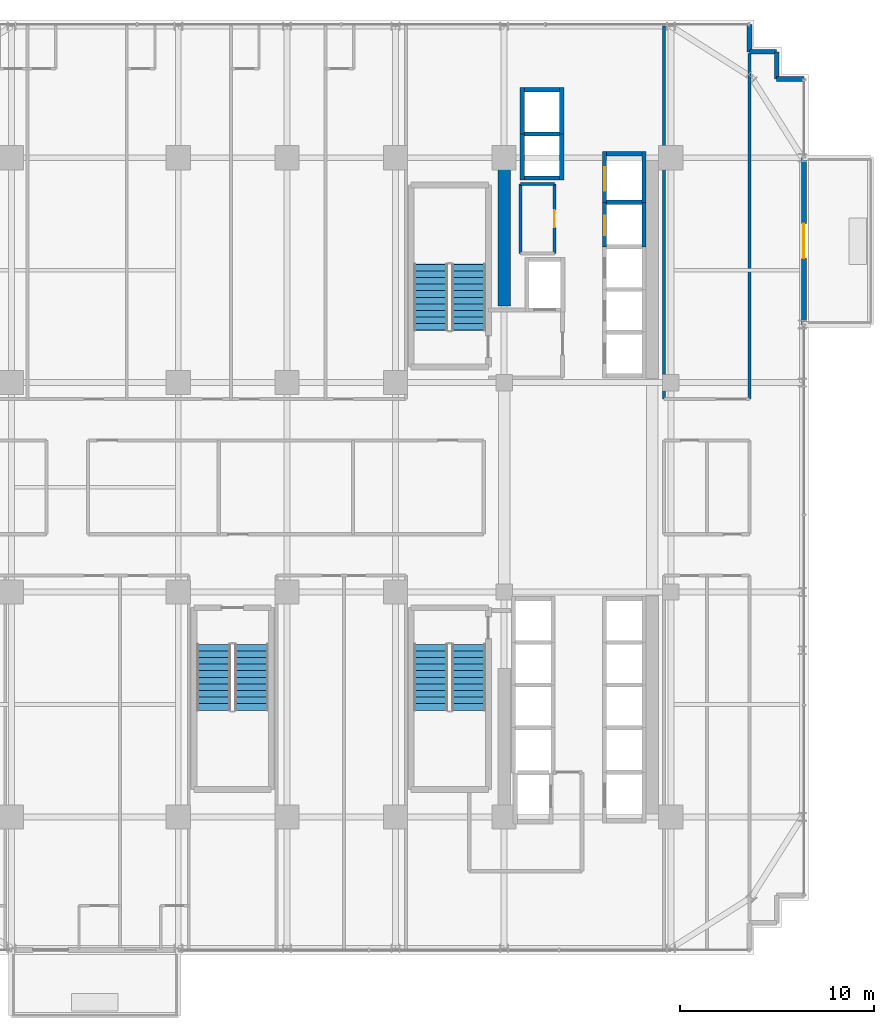
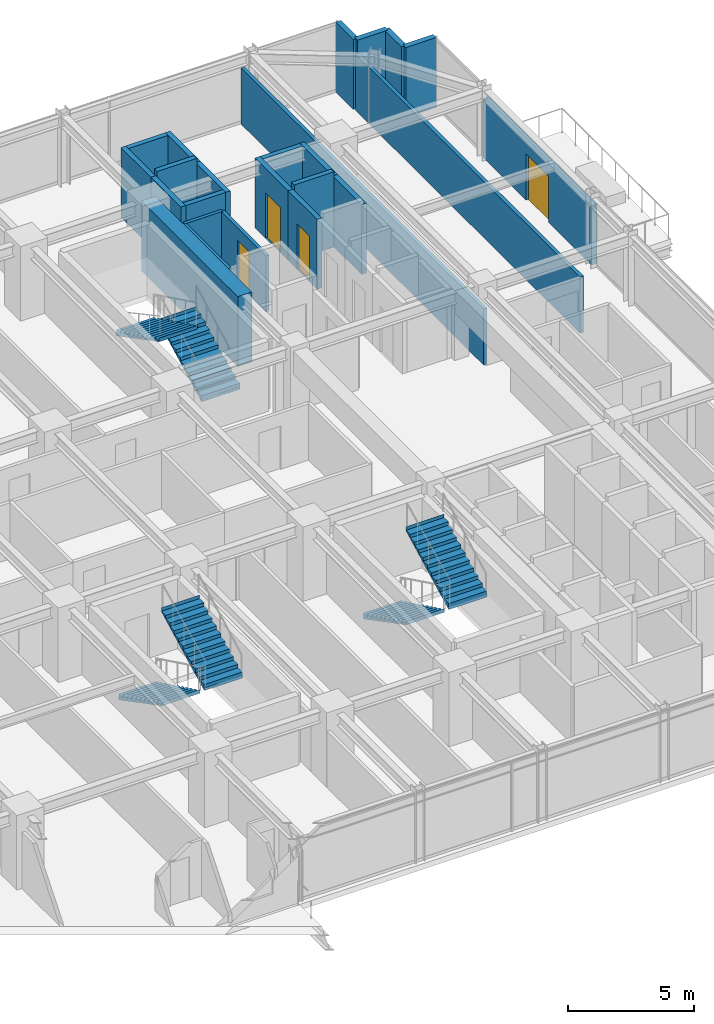
# One storey, part 29 of 32: 24 walls, 6 stair flights, 4 doors, 4 openings, 3 elements without a shape of their own.
"""IFC4 building model written with IfcOpenShell, lengths in metres."""

from ifc_helpers import new_model, si_unit, direction, frame, frame_2d, origin, place, context, subcontext, project, spatial, polyline, rectangle, outline, extrude, source, transform, mapped, material, layer, layer_set, type_object, element, fill, aggregate, save


model = new_model("IFC4")

# Units and contexts
model_context = context("Model", 3, precision=1e-05, world=origin(), true_north=direction((0.0, 1.0)))
body_context = subcontext(model_context, "Body", "Model", "MODEL_VIEW")
ifc_project = project(units=[si_unit("LENGTHUNIT", "METRE"), si_unit("AREAUNIT", "SQUARE_METRE"), si_unit("VOLUMEUNIT", "CUBIC_METRE"), si_unit("PLANEANGLEUNIT", "RADIAN"), si_unit("MASSUNIT", "GRAM", prefix="KILO")], contexts=[model_context])

# Site, building, storey
site_placement = place(None, origin())
site = spatial("IfcSite", under=ifc_project, at=site_placement, CompositionType="ELEMENT")
building_placement = place(site_placement, origin())
building = spatial("IfcBuilding", under=site, at=building_placement, Name="Nahalor Promenade Grand Hotel", CompositionType="ELEMENT")
storey_placement = place(building_placement, frame((0.0, 0.0, 102.89990234375)))
storey = spatial("IfcBuildingStorey", under=building, at=storey_placement, Name="L25", CompositionType="ELEMENT", Elevation=102.89990234375)

# Walls
ifc_material_1 = material(Name="Concrete B-60 (C50/60)", Category="concrete")
ifc_layer_1 = layer(ifc_material_1, 0.64990234375)
ifc_layer_set_1 = layer_set([ifc_layer_1], Name="Concrete B-60 (C50/60)")
wall_type_1 = type_object("IfcWallType", Name="Wall-CoreShear-650", PredefinedType="SHEAR", material=ifc_layer_set_1)
shared_shape_1 = source(origin(), body_context, "Body", "SweptSolid", [
    extrude(rectangle(XDim=7.64990234375, YDim=0.64990234375, at=frame_2d((3.824951171875, 0.0))), origin(), (0.0, 0.0, 1.0), 3.380126953125),
])
wall_1_placement = place(storey_placement, frame((8.39990234375, 9.35009765625, 0.0), z_axis=(0.0, 0.0, 1.0), x_axis=(0.0, 1.0, 0.0)))
element("IfcWall", 1, at=wall_1_placement, inside=storey, type_object=wall_type_1, Name="CWALL-L25-NW", PredefinedType="SHEAR", context=body_context, shape_type="MappedRepresentation", body=[
    mapped(shared_shape_1, transform((0.0, 0.0, 0.0), scale=1.0)),
])
ifc_material_2 = material(Name="Concrete B-50 (C40/50)", Category="concrete")
ifc_layer_2 = layer(ifc_material_2, 0.219970703125)
ifc_layer_set_2 = layer_set([ifc_layer_2], Name="Concrete B-50 (C40/50)")
wall_type_2 = type_object("IfcWallType", Name="Wall-LiftShaft-220", PredefinedType="SHEAR", material=ifc_layer_set_2)
shared_shape_2 = source(origin(), body_context, "Body", "SweptSolid", [
    extrude(rectangle(XDim=1.820068359375, YDim=0.219970703125, at=frame_2d((0.91015625, 0.0))), origin(), (0.0, 0.0, 1.0), 3.650146484375),
])
for number, where, z_axis, x_axis, name in (
    (2, (13.68994140625, 14.699951171875, 0.0), (0.0, 0.0, 1.0), (1.0, 0.0, 0.0), "L25 Lift PL4 Hoistway Wall N"),
    (3, (9.43994140625, 18.22509765625, 0.0), (0.0, 0.0, 1.0), (1.0, 0.0, 0.0), "L25 Lift OB1 Hoistway Wall N"),
):
    element("IfcWall", number, at=place(storey_placement, frame(where, z_axis=z_axis, x_axis=x_axis)), inside=storey, type_object=wall_type_2, Name=name, PredefinedType="SHEAR", context=body_context, shape_type="MappedRepresentation", body=[
        mapped(shared_shape_2, transform((0.0, 0.0, 0.0), scale=1.0)),
    ])
shared_shape_3 = source(origin(), body_context, "Body", "SweptSolid", [
    extrude(rectangle(XDim=1.820068359375, YDim=0.219970703125, at=frame_2d((0.91015625, 0.0))), origin(), (0.0, 0.0, 1.0), 3.380126953125),
])
for number, where, z_axis, x_axis, name in (
    (4, (9.43994140625, 15.949951171875, 0.0), (0.0, 0.0, 1.0), (1.0, 0.0, 0.0), "L25 Lift OB1 Hoistway Wall S"),
    (5, (9.43994140625, 20.5, 0.0), (0.0, 0.0, 1.0), (1.0, 0.0, 0.0), "L25 Lift OB2 Hoistway Wall N"),
    (6, (13.68994140625, 17.199951171875, 0.0), (0.0, 0.0, 1.0), (1.0, 0.0, 0.0), "L25 Lift SV1 Hoistway Wall N"),
):
    element("IfcWall", number, at=place(storey_placement, frame(where, z_axis=z_axis, x_axis=x_axis)), inside=storey, type_object=wall_type_2, Name=name, PredefinedType="SHEAR", context=body_context, shape_type="MappedRepresentation", body=[
        mapped(shared_shape_3, transform((0.0, 0.0, 0.0), scale=1.0)),
    ])

# Wall, opening, door
shared_shape_4 = source(origin(), body_context, "Body", "SweptSolid", [
    extrude(rectangle(XDim=2.300048828125, YDim=0.219970703125, at=frame_2d((1.14990234375, 0.0))), origin(), (0.0, 0.0, 1.0), 3.380126953125),
])
wall_2_placement = place(storey_placement, frame((13.580078125, 12.39990234375, 0.0), z_axis=(0.0, 0.0, 1.0), x_axis=(0.0, 1.0, 0.0)))
wall_2 = element("IfcWall", 7, at=wall_2_placement, inside=storey, type_object=wall_type_2, Name="L25 Lift PL4 Hoistway Wall W", PredefinedType="SHEAR", context=body_context, shape_type="MappedRepresentation", body=[
    mapped(shared_shape_4, transform((0.0, 0.0, 0.0), scale=1.0)),
])
opening_1_placement = place(wall_2_placement, frame((0.60009765625, 0.0, 0.0)))
opening_1 = element("IfcOpeningElement", 8, at=opening_1_placement, cuts=wall_2, Name="Opening LD-01", PredefinedType="OPENING", context=body_context, shape_type="SweptSolid", body=[
    extrude(rectangle(XDim=1.0, YDim=2.199951171875, at=frame_2d((0.5, 1.10009765625))), frame((0.0, 0.119873046875, 0.0), z_axis=(0.0, -1.0, 0.0), x_axis=(1.0, 0.0, 0.0)), (0.0, 0.0, 1.0), 0.239990234375),
])
ifc_material_3 = material(Name="Steel S355JR", Category="steel")
door_type_1 = type_object("IfcDoorType", Name="Door-LiftLanding-1000", OperationType="DOUBLE_DOOR_SLIDING", PredefinedType="DOOR", material=ifc_material_3)
shared_shape_5 = source(origin(), body_context, "Body", "SweptSolid", [
    extrude(rectangle(XDim=1.0, YDim=2.199951171875, at=frame_2d((0.5, 1.10009765625))), frame((0.0, 0.02490234375, 0.0), z_axis=(0.0, -1.0, 0.0), x_axis=(1.0, 0.0, 0.0)), (0.0, 0.0, 1.0), 0.050048828125),
])
door_1_placement = place(opening_1_placement, origin())
door_1 = element("IfcDoor", 9, at=door_1_placement, inside=storey, type_object=door_type_1, Name="DR-LIFT-PL4-L25", OperationType="DOUBLE_DOOR_SLIDING", OverallHeight=2.199951171875, OverallWidth=1.0, PredefinedType="DOOR", context=body_context, shape_type="MappedRepresentation", body=[
    mapped(shared_shape_5, transform((0.0, 0.0, 0.0), scale=1.0)),
])
fill(opening_1, door_1)

# Walls
wall_3_placement = place(storey_placement, frame((15.6201171875, 12.39990234375, 0.0), z_axis=(0.0, 0.0, 1.0), x_axis=(0.0, 1.0, 0.0)))
element("IfcWall", 10, at=wall_3_placement, inside=storey, type_object=wall_type_2, Name="L25 Lift PL4 Hoistway Wall E", PredefinedType="SHEAR", context=body_context, shape_type="MappedRepresentation", body=[
    mapped(shared_shape_4, transform((0.0, 0.0, 0.0), scale=1.0)),
])
shared_shape_6 = source(origin(), body_context, "Body", "SweptSolid", [
    extrude(rectangle(XDim=2.385009765625, YDim=0.219970703125, at=frame_2d((1.1923828125, 0.0))), origin(), (0.0, 0.0, 1.0), 3.380126953125),
])
for number, where, z_axis, x_axis, name in (
    (11, (9.330078125, 15.840087890625, 0.0), (0.0, 0.0, 1.0), (0.0, 1.0, 0.0), "L25 Lift OB1 Hoistway Wall W"),
    (12, (11.3701171875, 15.840087890625, 0.0), (0.0, 0.0, 1.0), (0.0, 1.0, 0.0), "L25 Lift OB1 Hoistway Wall E"),
    (13, (9.330078125, 18.22509765625, 0.0), (0.0, 0.0, 1.0), (0.0, 1.0, 0.0), "L25 Lift OB2 Hoistway Wall W"),
    (14, (11.3701171875, 18.22509765625, 0.0), (0.0, 0.0, 1.0), (0.0, 1.0, 0.0), "L25 Lift OB2 Hoistway Wall E"),
):
    element("IfcWall", number, at=place(storey_placement, frame(where, z_axis=z_axis, x_axis=x_axis)), inside=storey, type_object=wall_type_2, Name=name, PredefinedType="SHEAR", context=body_context, shape_type="MappedRepresentation", body=[
        mapped(shared_shape_6, transform((0.0, 0.0, 0.0), scale=1.0)),
    ])

# Wall, opening, door
shared_shape_7 = source(origin(), body_context, "Body", "SweptSolid", [
    extrude(rectangle(XDim=2.610107421875, YDim=0.219970703125, at=frame_2d((1.30517578125, 0.0))), origin(), (0.0, 0.0, 1.0), 3.380126953125),
])
wall_4_placement = place(storey_placement, frame((13.580078125, 14.699951171875, 0.0), z_axis=(0.0, 0.0, 1.0), x_axis=(0.0, 1.0, 0.0)))
wall_4 = element("IfcWall", 15, at=wall_4_placement, inside=storey, type_object=wall_type_2, Name="L25 Lift SV1 Hoistway Wall W", PredefinedType="SHEAR", context=body_context, shape_type="MappedRepresentation", body=[
    mapped(shared_shape_7, transform((0.0, 0.0, 0.0), scale=1.0)),
])
opening_2_placement = place(wall_4_placement, frame((0.60009765625, 0.0, 0.0)))
opening_2 = element("IfcOpeningElement", 16, at=opening_2_placement, cuts=wall_4, Name="Opening LD-03", PredefinedType="OPENING", context=body_context, shape_type="SweptSolid", body=[
    extrude(rectangle(XDim=1.199951171875, YDim=2.199951171875, at=frame_2d((0.60009765625, 1.10009765625))), frame((0.0, 0.119873046875, 0.0), z_axis=(0.0, -1.0, 0.0), x_axis=(1.0, 0.0, 0.0)), (0.0, 0.0, 1.0), 0.239990234375),
])
door_type_2 = type_object("IfcDoorType", Name="Door-LiftService-1200", OperationType="DOUBLE_DOOR_SLIDING", PredefinedType="DOOR", material=ifc_material_3)
shared_shape_8 = source(origin(), body_context, "Body", "SweptSolid", [
    extrude(rectangle(XDim=1.199951171875, YDim=2.199951171875, at=frame_2d((0.60009765625, 1.10009765625))), frame((0.0, 0.02490234375, 0.0), z_axis=(0.0, -1.0, 0.0), x_axis=(1.0, 0.0, 0.0)), (0.0, 0.0, 1.0), 0.050048828125),
])
door_2_placement = place(opening_2_placement, origin())
door_2 = element("IfcDoor", 17, at=door_2_placement, inside=storey, type_object=door_type_2, Name="DR-LIFT-SV1-L25", OperationType="DOUBLE_DOOR_SLIDING", OverallHeight=2.199951171875, OverallWidth=1.199951171875, PredefinedType="DOOR", context=body_context, shape_type="MappedRepresentation", body=[
    mapped(shared_shape_8, transform((0.0, 0.0, 0.0), scale=1.0)),
])
fill(opening_2, door_2)

# Walls
wall_5_placement = place(storey_placement, frame((15.6201171875, 14.699951171875, 0.0), z_axis=(0.0, 0.0, 1.0), x_axis=(0.0, 1.0, 0.0)))
element("IfcWall", 18, at=wall_5_placement, inside=storey, type_object=wall_type_2, Name="L25 Lift SV1 Hoistway Wall E", PredefinedType="SHEAR", context=body_context, shape_type="MappedRepresentation", body=[
    mapped(shared_shape_7, transform((0.0, 0.0, 0.0), scale=1.0)),
])
ifc_material_4 = material(Name="Concrete B-40 (C32/40)", Category="concrete")
ifc_layer_3 = layer(ifc_material_4, 0.25)
ifc_layer_set_3 = layer_set([ifc_layer_3], Name="Concrete B-40 (C32/40)")
wall_type_3 = type_object("IfcWallType", Name="Wall-BronzePier-250", PredefinedType="STANDARD", material=ifc_layer_set_3)
shared_shape_9 = source(origin(), body_context, "Body", "SweptSolid", [
    extrude(rectangle(XDim=1.400146484375, YDim=0.25, at=frame_2d((0.7001953125, 0.0))), origin(), (0.0, 0.0, 1.0), 3.380126953125),
])
for number, where, z_axis, x_axis, name in (
    (19, (22.4599609375, 21.06005859375, 0.0), (0.0, 0.0, 1.0), (1.0, 0.0, 0.0), "W-L25-SR-05"),
    (20, (21.06005859375, 22.4599609375, 0.0), (0.0, 0.0, 1.0), (0.0, 1.0, 0.0), "W-L25-SR-08"),
):
    element("IfcWall", number, at=place(storey_placement, frame(where, z_axis=z_axis, x_axis=x_axis)), inside=storey, type_object=wall_type_3, Name=name, PredefinedType="STANDARD", context=body_context, shape_type="MappedRepresentation", body=[
        mapped(shared_shape_9, transform((0.0, 0.0, 0.0), scale=1.0)),
    ])
shared_shape_10 = source(origin(), body_context, "Body", "SweptSolid", [
    extrude(rectangle(XDim=1.39990234375, YDim=0.25, at=frame_2d((0.699951171875, 0.0))), origin(), (0.0, 0.0, 1.0), 3.380126953125),
])
for number, where, z_axis, x_axis, name in (
    (21, (22.4599609375, 21.06005859375, 0.0), (0.0, 0.0, 1.0), (0.0, 1.0, 0.0), "W-L25-SR-06"),
    (22, (21.06005859375, 22.4599609375, 0.0), (0.0, 0.0, 1.0), (1.0, 0.0, 0.0), "W-L25-SR-07"),
):
    element("IfcWall", number, at=place(storey_placement, frame(where, z_axis=z_axis, x_axis=x_axis)), inside=storey, type_object=wall_type_3, Name=name, PredefinedType="STANDARD", context=body_context, shape_type="MappedRepresentation", body=[
        mapped(shared_shape_10, transform((0.0, 0.0, 0.0), scale=1.0)),
    ])

# Wall, opening, door
ifc_layer_4 = layer(ifc_material_4, 0.260009765625)
ifc_layer_set_4 = layer_set([ifc_layer_4], Name="Concrete B-40 (C32/40)")
wall_type_4 = type_object("IfcWallType", Name="Wall-BalconyWall-260", PredefinedType="STANDARD", material=ifc_layer_set_4)
shared_shape_11 = source(origin(), body_context, "Body", "SweptSolid", [
    extrude(rectangle(XDim=8.60009765625, YDim=0.260009765625, at=frame_2d((4.300048828125, 0.0))), origin(), (0.0, 0.0, 1.0), 2.860107421875),
])
wall_6_placement = place(storey_placement, frame((23.860107421875, 8.39990234375, 0.0), z_axis=(0.0, 0.0, 1.0), x_axis=(0.0, 1.0, 0.0)))
wall_6 = element("IfcWall", 23, at=wall_6_placement, inside=storey, type_object=wall_type_4, Name="W-L25-BALC-E-2", PredefinedType="STANDARD", context=body_context, shape_type="MappedRepresentation", body=[
    mapped(shared_shape_11, transform((0.0, 0.0, 0.0), scale=1.0)),
])
opening_3_placement = place(wall_6_placement, frame((3.39990234375, 0.0, 0.0)))
opening_3 = element("IfcOpeningElement", 24, at=opening_3_placement, cuts=wall_6, Name="Opening D-BC1", PredefinedType="OPENING", context=body_context, shape_type="SweptSolid", body=[
    extrude(rectangle(XDim=1.800048828125, YDim=2.25, at=frame_2d((0.89990234375, 1.125))), frame((0.0, 0.139892578125, 0.0), z_axis=(0.0, -1.0, 0.0), x_axis=(1.0, 0.0, 0.0)), (0.0, 0.0, 1.0), 0.280029296875),
])
ifc_material_5 = material(Name="Anodised Bronze Aluminium EN AW-6063 T6", Category="aluminium")
door_type_3 = type_object("IfcDoorType", Name="Door-BalconySlide-1800", OperationType="DOUBLE_DOOR_SLIDING", PredefinedType="DOOR", material=ifc_material_5)
shared_shape_12 = source(origin(), body_context, "Body", "SweptSolid", [
    extrude(rectangle(XDim=1.800048828125, YDim=2.25, at=frame_2d((0.89990234375, 1.125))), frame((0.0, 0.02490234375, 0.0), z_axis=(0.0, -1.0, 0.0), x_axis=(1.0, 0.0, 0.0)), (0.0, 0.0, 1.0), 0.050048828125),
])
door_3_placement = place(opening_3_placement, frame((1.800048828125, 0.0, 0.0), z_axis=(0.0, 0.0, 1.0), x_axis=(-1.0, 0.0, 0.0)))
door_3 = element("IfcDoor", 25, at=door_3_placement, inside=storey, type_object=door_type_3, Name="DR-L25-BALC-E-2", OperationType="DOUBLE_DOOR_SLIDING", OverallHeight=2.25, OverallWidth=1.800048828125, PredefinedType="DOOR", context=body_context, shape_type="MappedRepresentation", body=[
    mapped(shared_shape_12, transform((0.0, 0.0, 0.0), scale=1.0)),
])
fill(opening_3, door_3)

# Walls
ifc_material_6 = material(Name="Acoustic Mineral Gypsum", Category="gypsum")
ifc_layer_5 = layer(ifc_material_6, 0.14990234375)
ifc_layer_set_5 = layer_set([ifc_layer_5], Name="Acoustic Mineral Gypsum")
wall_type_5 = type_object("IfcWallType", Name="Wall-PartService-150", PredefinedType="PARTITIONING", material=ifc_layer_set_5)
shared_shape_13 = source(origin(), body_context, "Body", "SweptSolid", [
    extrude(rectangle(XDim=1.75, YDim=0.14990234375, at=frame_2d((0.875, 0.0))), origin(), (0.0, 0.0, 1.0), 2.72021484375),
])
wall_7_placement = place(storey_placement, frame((9.25, 15.64990234375, 0.0), z_axis=(0.0, 0.0, 1.0), x_axis=(1.0, 0.0, 0.0)))
element("IfcWall", 26, at=wall_7_placement, inside=storey, type_object=wall_type_5, Name="W-L25-CK1A-N", PredefinedType="PARTITIONING", context=body_context, shape_type="MappedRepresentation", body=[
    mapped(shared_shape_13, transform((0.0, 0.0, 0.0), scale=1.0)),
])
shared_shape_14 = source(origin(), body_context, "Body", "SweptSolid", [
    extrude(rectangle(XDim=3.599853515625, YDim=0.14990234375, at=frame_2d((1.7998046875, 0.0))), origin(), (0.0, 0.0, 1.0), 2.72021484375),
])
wall_8_placement = place(storey_placement, frame((9.25, 12.050048828125, 0.0), z_axis=(0.0, 0.0, 1.0), x_axis=(0.0, 1.0, 0.0)))
element("IfcWall", 27, at=wall_8_placement, inside=storey, type_object=wall_type_5, Name="W-L25-CK1A-W", PredefinedType="PARTITIONING", context=body_context, shape_type="MappedRepresentation", body=[
    mapped(shared_shape_14, transform((0.0, 0.0, 0.0), scale=1.0)),
])

# Wall, opening, door
wall_9_placement = place(storey_placement, frame((11.0, 12.050048828125, 0.0), z_axis=(0.0, 0.0, 1.0), x_axis=(0.0, 1.0, 0.0)))
wall_9 = element("IfcWall", 28, at=wall_9_placement, inside=storey, type_object=wall_type_5, Name="W-L25-CK1A-E", PredefinedType="PARTITIONING", context=body_context, shape_type="MappedRepresentation", body=[
    mapped(shared_shape_14, transform((0.0, 0.0, 0.0), scale=1.0)),
])
opening_4_placement = place(wall_9_placement, frame((1.360107421875, 0.0, 0.0)))
opening_4 = element("IfcOpeningElement", 29, at=opening_4_placement, cuts=wall_9, Name="Opening D-03", PredefinedType="OPENING", context=body_context, shape_type="SweptSolid", body=[
    extrude(rectangle(XDim=0.8798828125, YDim=2.10009765625, at=frame_2d((0.43994140625, 1.050048828125))), frame((0.0, 0.0849609375, 0.0), z_axis=(0.0, -1.0, 0.0), x_axis=(1.0, 0.0, 0.0)), (0.0, 0.0, 1.0), 0.169921875),
])
ifc_material_7 = material(Name="Fire-Rated Timber Composite", Category="wood")
door_type_4 = type_object("IfcDoorType", Name="Door-BathSwing-880", OperationType="NOTDEFINED", PredefinedType="DOOR", material=ifc_material_7)
shared_shape_15 = source(origin(), body_context, "Body", "SweptSolid", [
    extrude(rectangle(XDim=0.8798828125, YDim=2.10009765625, at=frame_2d((0.43994140625, 1.050048828125))), frame((0.0, 0.02490234375, 0.0), z_axis=(0.0, -1.0, 0.0), x_axis=(1.0, 0.0, 0.0)), (0.0, 0.0, 1.0), 0.050048828125),
])
door_4_placement = place(opening_4_placement, origin())
door_4 = element("IfcDoor", 30, at=door_4_placement, inside=storey, type_object=door_type_4, Name="DR-L25-CK1A", OperationType="SINGLE_SWING_RIGHT", OverallHeight=2.10009765625, OverallWidth=0.8798828125, PredefinedType="DOOR", context=body_context, shape_type="MappedRepresentation", body=[
    mapped(shared_shape_15, transform((0.0, 0.0, 0.0), scale=1.0)),
])
fill(opening_4, door_4)

# Walls
ifc_layer_6 = layer(ifc_material_6, 0.159912109375)
ifc_layer_set_6 = layer_set([ifc_layer_6], Name="Acoustic Mineral Gypsum")
wall_type_6 = type_object("IfcWallType", Name="Wall-PartCorridor-160", PredefinedType="PARTITIONING", material=ifc_layer_set_6)
shared_shape_16 = source(origin(), body_context, "Body", "SweptSolid", [
    extrude(rectangle(XDim=19.25, YDim=0.159912109375, at=frame_2d((9.625, 0.0))), origin(), (0.0, 0.0, 1.0), 2.72021484375),
])
wall_10_placement = place(storey_placement, frame((16.64990234375, 4.550048828125, 0.0), z_axis=(0.0, 0.0, 1.0), x_axis=(0.0, 1.0, 0.0)))
element("IfcWall", 31, at=wall_10_placement, inside=storey, type_object=wall_type_6, Name="W-L25-ENE-W", PredefinedType="PARTITIONING", context=body_context, shape_type="MappedRepresentation", body=[
    mapped(shared_shape_16, transform((0.0, 0.0, 0.0), scale=1.0)),
])
shared_shape_17 = source(origin(), body_context, "Body", "SweptSolid", [
    extrude(rectangle(XDim=17.829833984375, YDim=0.159912109375, at=frame_2d((8.9150390625, 0.0))), origin(), (0.0, 0.0, 1.0), 2.72021484375),
])
wall_11_placement = place(storey_placement, frame((21.06005859375, 4.550048828125, 0.0), z_axis=(0.0, 0.0, 1.0), x_axis=(0.0, 1.0, 0.0)))
element("IfcWall", 32, at=wall_11_placement, inside=storey, type_object=wall_type_6, Name="W-L25-ENE-E", PredefinedType="PARTITIONING", context=body_context, shape_type="MappedRepresentation", body=[
    mapped(shared_shape_17, transform((0.0, 0.0, 0.0), scale=1.0)),
])

# Stair, stair flights
stair_type_1 = type_object("IfcStairType", Name="Stair-ST1", PredefinedType="HALF_TURN_STAIR", material=ifc_material_2)
stair_1_placement = place(storey_placement, origin())
stair_1 = element("IfcStair", 33, at=stair_1_placement, inside=storey, type_object=stair_type_1, Name="L25 ST1", PredefinedType="HALF_TURN_STAIR")
ifc_layer_7 = layer(ifc_material_2, 0.179931640625)
ifc_layer_set_7 = layer_set([ifc_layer_7], Name="Concrete B-50 (C40/50)")
stair_flight_type_1 = type_object("IfcStairFlightType", Name="Flight-ST1", PredefinedType="STRAIGHT", material=ifc_layer_set_7)
shared_shape_18 = source(origin(), body_context, "Body", "SweptSolid", [
    extrude(outline(polyline([(-0.00390625, -0.1201171875), (-0.00390625, 0.0), (0.0, 0.0), (0.0, 0.166015625), (0.340087890625, 0.166015625), (0.340087890625, 0.331787109375), (0.679931640625, 0.331787109375), (0.679931640625, 0.497802734375), (1.02001953125, 0.497802734375), (1.02001953125, 0.66357421875), (1.360107421875, 0.66357421875), (1.360107421875, 0.82958984375), (1.699951171875, 0.82958984375), (1.699951171875, 0.995361328125), (2.0400390625, 0.995361328125), (2.0400390625, 1.161376953125), (2.3798828125, 1.161376953125), (2.3798828125, 1.327392578125), (2.719970703125, 1.327392578125), (2.719970703125, 1.4931640625), (3.06005859375, 1.4931640625), (3.06005859375, 1.6591796875), (3.39990234375, 1.6591796875), (3.39990234375, 1.824951171875), (3.404052734375, 1.824951171875), (3.404052734375, 1.64501953125), (0.02001953125, -0.1201171875), (-0.00390625, -0.1201171875)])), frame((0.0, 0.875, 0.0), z_axis=(0.0, -1.0, 0.0), x_axis=(1.0, 0.0, 0.0)), (0.0, 0.0, 1.0), 1.75),
])
stair_flight_1_placement = place(storey_placement, frame((6.574951171875, 8.10009765625, 0.0), z_axis=(0.0, 0.0, 1.0), x_axis=(0.0, 1.0, 0.0)))
stair_flight_1 = element("IfcStairFlight", 34, at=stair_flight_1_placement, type_object=stair_flight_type_1, Name="ST1 flight 1", NumberOfRisers=11, NumberOfTreads=10, PredefinedType="STRAIGHT", RiserHeight=0.165909091, TreadLength=0.34, context=body_context, shape_type="MappedRepresentation", body=[
    mapped(shared_shape_18, transform((0.0, 0.0, 0.0), scale=1.0)),
])
stair_flight_2_placement = place(storey_placement, frame((4.625, 11.5, 1.8251953125), z_axis=(0.0, 0.0, 1.0), x_axis=(0.0, -1.0, 0.0)))
stair_flight_2 = element("IfcStairFlight", 35, at=stair_flight_2_placement, type_object=stair_flight_type_1, Name="ST1 flight 2", NumberOfRisers=11, NumberOfTreads=10, PredefinedType="STRAIGHT", RiserHeight=0.165909091, TreadLength=0.34, context=body_context, shape_type="MappedRepresentation", body=[
    mapped(shared_shape_18, transform((0.0, 0.0, 0.0), scale=1.0)),
])
aggregate(stair_1, [stair_flight_1, stair_flight_2])

stair_type_2 = type_object("IfcStairType", Name="Stair-ST2", PredefinedType="HALF_TURN_STAIR", material=ifc_material_2)
stair_2_placement = place(storey_placement, origin())
stair_2 = element("IfcStair", 36, at=stair_2_placement, inside=storey, type_object=stair_type_2, Name="L25 ST2", PredefinedType="HALF_TURN_STAIR")
ifc_layer_8 = layer(ifc_material_2, 0.18994140625)
ifc_layer_set_8 = layer_set([ifc_layer_8], Name="Concrete B-50 (C40/50)")
stair_flight_type_2 = type_object("IfcStairFlightType", Name="Flight-ST2", PredefinedType="STRAIGHT", material=ifc_layer_set_8)
shared_shape_19 = source(origin(), body_context, "Body", "SweptSolid", [
    extrude(outline(polyline([(-0.00390625, -0.1201171875), (-0.00390625, 0.0), (0.0, 0.0), (0.0, 0.166015625), (0.340087890625, 0.166015625), (0.340087890625, 0.331787109375), (0.679931640625, 0.331787109375), (0.679931640625, 0.497802734375), (1.02001953125, 0.497802734375), (1.02001953125, 0.66357421875), (1.360107421875, 0.66357421875), (1.360107421875, 0.82958984375), (1.699951171875, 0.82958984375), (1.699951171875, 0.995361328125), (2.0400390625, 0.995361328125), (2.0400390625, 1.161376953125), (2.3798828125, 1.161376953125), (2.3798828125, 1.327392578125), (2.719970703125, 1.327392578125), (2.719970703125, 1.4931640625), (3.06005859375, 1.4931640625), (3.06005859375, 1.6591796875), (3.39990234375, 1.6591796875), (3.39990234375, 1.824951171875), (3.404052734375, 1.824951171875), (3.404052734375, 1.64501953125), (0.02001953125, -0.1201171875), (-0.00390625, -0.1201171875)])), frame((0.0, 0.875, 0.0), z_axis=(0.0, -1.0, 0.0), x_axis=(1.0, 0.0, 0.0)), (0.0, 0.0, 1.0), 1.75),
])
stair_flight_3_placement = place(storey_placement, frame((4.625, -8.10009765625, 0.0), z_axis=(0.0, 0.0, 1.0), x_axis=(0.0, -1.0, 0.0)))
stair_flight_3 = element("IfcStairFlight", 37, at=stair_flight_3_placement, type_object=stair_flight_type_2, Name="ST2 flight 1", NumberOfRisers=11, NumberOfTreads=10, PredefinedType="STRAIGHT", RiserHeight=0.165909091, TreadLength=0.34, context=body_context, shape_type="MappedRepresentation", body=[
    mapped(shared_shape_19, transform((0.0, 0.0, 0.0), scale=1.0)),
])
stair_flight_4_placement = place(storey_placement, frame((6.574951171875, -11.5, 1.8251953125), z_axis=(0.0, 0.0, 1.0), x_axis=(0.0, 1.0, 0.0)))
stair_flight_4 = element("IfcStairFlight", 38, at=stair_flight_4_placement, type_object=stair_flight_type_2, Name="ST2 flight 2", NumberOfRisers=11, NumberOfTreads=10, PredefinedType="STRAIGHT", RiserHeight=0.165909091, TreadLength=0.34, context=body_context, shape_type="MappedRepresentation", body=[
    mapped(shared_shape_19, transform((0.0, 0.0, 0.0), scale=1.0)),
])
aggregate(stair_2, [stair_flight_3, stair_flight_4])

stair_type_3 = type_object("IfcStairType", Name="Stair-ST3", PredefinedType="HALF_TURN_STAIR", material=ifc_material_2)
stair_3_placement = place(storey_placement, origin())
stair_3 = element("IfcStair", 39, at=stair_3_placement, inside=storey, type_object=stair_type_3, Name="L25 ST3", PredefinedType="HALF_TURN_STAIR")
ifc_layer_9 = layer(ifc_material_2, 0.199951171875)
ifc_layer_set_9 = layer_set([ifc_layer_9], Name="Concrete B-50 (C40/50)")
stair_flight_type_3 = type_object("IfcStairFlightType", Name="Flight-ST3", PredefinedType="STRAIGHT", material=ifc_layer_set_9)
shared_shape_20 = source(origin(), body_context, "Body", "SweptSolid", [
    extrude(outline(polyline([(-0.00390625, -0.1201171875), (-0.00390625, 0.0), (0.0, 0.0), (0.0, 0.166015625), (0.340087890625, 0.166015625), (0.340087890625, 0.331787109375), (0.679931640625, 0.331787109375), (0.679931640625, 0.497802734375), (1.02001953125, 0.497802734375), (1.02001953125, 0.66357421875), (1.360107421875, 0.66357421875), (1.360107421875, 0.82958984375), (1.699951171875, 0.82958984375), (1.699951171875, 0.995361328125), (2.0400390625, 0.995361328125), (2.0400390625, 1.161376953125), (2.3798828125, 1.161376953125), (2.3798828125, 1.327392578125), (2.719970703125, 1.327392578125), (2.719970703125, 1.4931640625), (3.06005859375, 1.4931640625), (3.06005859375, 1.6591796875), (3.39990234375, 1.6591796875), (3.39990234375, 1.824951171875), (3.404052734375, 1.824951171875), (3.404052734375, 1.64501953125), (0.02001953125, -0.1201171875), (-0.00390625, -0.1201171875)])), frame((0.0, 0.875, 0.0), z_axis=(0.0, -1.0, 0.0), x_axis=(1.0, 0.0, 0.0)), (0.0, 0.0, 1.0), 1.75),
])
stair_flight_5_placement = place(storey_placement, frame((-6.574951171875, -8.10009765625, 0.0), z_axis=(0.0, 0.0, 1.0), x_axis=(0.0, -1.0, 0.0)))
stair_flight_5 = element("IfcStairFlight", 40, at=stair_flight_5_placement, type_object=stair_flight_type_3, Name="ST3 flight 1", NumberOfRisers=11, NumberOfTreads=10, PredefinedType="STRAIGHT", RiserHeight=0.165909091, TreadLength=0.34, context=body_context, shape_type="MappedRepresentation", body=[
    mapped(shared_shape_20, transform((0.0, 0.0, 0.0), scale=1.0)),
])
stair_flight_6_placement = place(storey_placement, frame((-4.625, -11.5, 1.8251953125), z_axis=(0.0, 0.0, 1.0), x_axis=(0.0, 1.0, 0.0)))
stair_flight_6 = element("IfcStairFlight", 41, at=stair_flight_6_placement, type_object=stair_flight_type_3, Name="ST3 flight 2", NumberOfRisers=11, NumberOfTreads=10, PredefinedType="STRAIGHT", RiserHeight=0.165909091, TreadLength=0.34, context=body_context, shape_type="MappedRepresentation", body=[
    mapped(shared_shape_20, transform((0.0, 0.0, 0.0), scale=1.0)),
])
aggregate(stair_3, [stair_flight_5, stair_flight_6])

save(model, "model.ifc")
